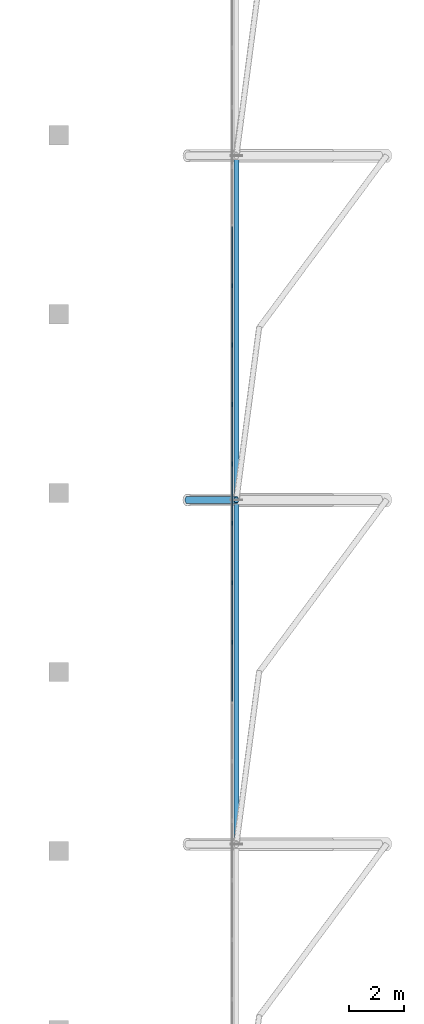
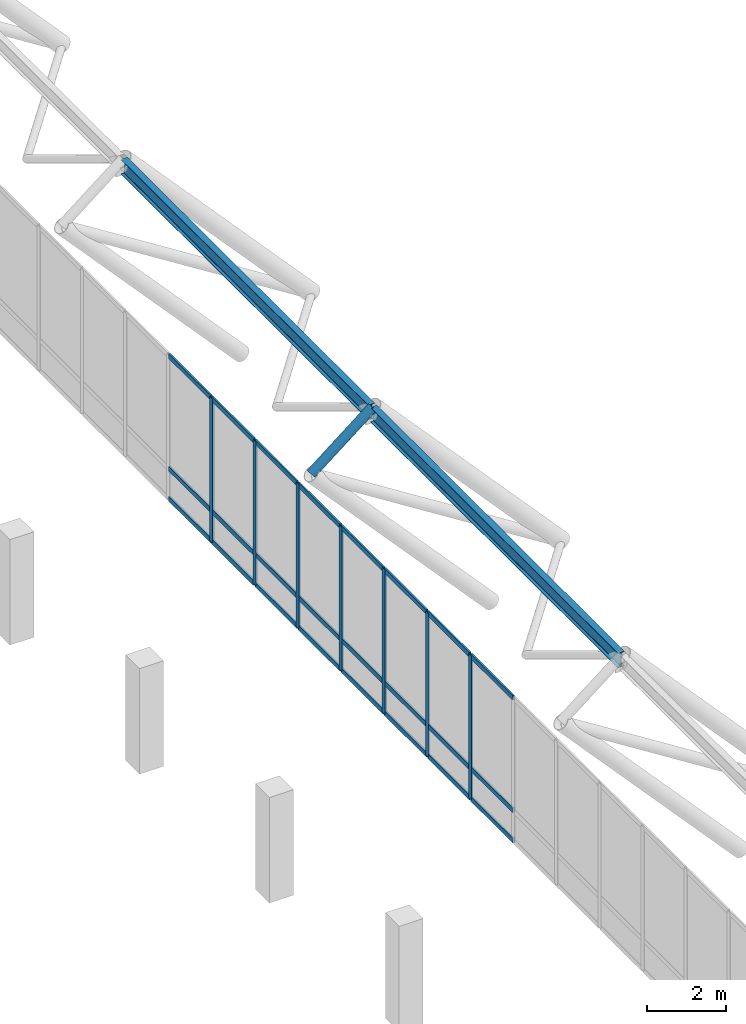
# One storey, part 26 of 79: 34 members, 1 element without a shape of its own.
"""IFC4 building model written with IfcOpenShell, lengths in metres."""

from ifc_helpers import new_model, si_unit, derived_unit, direction, frame, origin, origin_2d, place, context, subcontext, project, spatial, rectangle, hollow_circle, i_section, extrude, material, layer, layer_set, material_profile, profile_set, type_object, element, aggregate, save


model = new_model("IFC4")

# Units and contexts
model_context = context("Model", 3, precision=1e-05, world=origin(), true_north=direction((0.0, 1.0)))
body_context = subcontext(model_context, "Body", "Model", "MODEL_VIEW")
ifc_project = project(units=[si_unit("LENGTHUNIT", "METRE"), si_unit("AREAUNIT", "SQUARE_METRE"), si_unit("VOLUMEUNIT", "CUBIC_METRE"), si_unit("PLANEANGLEUNIT", "RADIAN"), si_unit("MASSUNIT", "GRAM", prefix="KILO"), derived_unit("THERMALTRANSMITTANCEUNIT", [(si_unit("MASSUNIT", "GRAM", prefix="KILO"), 1), (si_unit("TIMEUNIT", "SECOND"), -3), (si_unit("THERMODYNAMICTEMPERATUREUNIT", "KELVIN"), -1)])], contexts=[model_context])

# Site, building, storey
site_placement = place(None, origin())
site = spatial("IfcSite", under=ifc_project, at=site_placement, CompositionType="ELEMENT")
building_placement = place(site_placement, origin())
building = spatial("IfcBuilding", under=site, at=building_placement, Name="Valcora Ridge Arena", CompositionType="ELEMENT")
storey_placement = place(building_placement, frame((0.0, 0.0, 16.199951171875)))
storey = spatial("IfcBuildingStorey", under=building, at=storey_placement, Name="L03", CompositionType="ELEMENT", Elevation=16.199951171875)

# Curtain wall, members
ifc_material_1 = material(Name="Anodised dark bronze architectural aluminium 6063-T6", Category="aluminium")
ifc_layer = layer(ifc_material_1, 0.14990234375, Name="Anodised dark bronze architectural aluminium 6063-T6")
ifc_layer_set = layer_set([ifc_layer], Name="Anodised dark bronze architectural aluminium 6063-T6")
curtain_wall_type = type_object("IfcCurtainWallType", Name="TY-CURTAINWALL-CW-V1-EAST-849X44", PredefinedType="NOTDEFINED", material=ifc_layer_set)
curtain_wall_placement = place(storey_placement, origin())
curtain_wall = element("IfcCurtainWall", 1, at=curtain_wall_placement, inside=storey, type_object=curtain_wall_type, Name="CW-V1-EAST-849X44 CW-0147", PredefinedType="NOTDEFINED")
ifc_material_profile_1 = material_profile(ifc_material_1, rectangle(XDim=0.050048828125, YDim=0.14990234375, at=origin_2d()), Name="ALU MULLION 50x150")
ifc_profile_set_1 = profile_set([ifc_material_profile_1], Name="Anodised dark bronze architectural aluminium 6063-T6")
member_type_1 = type_object("IfcMemberType", Name="TY-MEM-CWM-50x150", PredefinedType="MULLION", material=ifc_profile_set_1)
member_1_placement = place(storey_placement, frame((95.35009765625, 65.1884765625, 0.0), z_axis=(0.0, 0.0, 1.0), x_axis=(-1.0, 0.0, 0.0)))
member_1 = element("IfcMember", 2, at=member_1_placement, type_object=member_type_1, Name="CW-0147/CWM-50x150/M20", PredefinedType="MULLION", context=body_context, shape_type="SweptSolid", body=[
    extrude(rectangle(XDim=0.050048828125, YDim=0.14990234375, at=origin_2d()), origin(), (0.0, 0.0, 1.0), 4.43994140625),
])
member_2_placement = place(storey_placement, frame((95.35009765625, 67.364990234375, 0.0), z_axis=(0.0, 0.0, 1.0), x_axis=(-1.0, 0.0, 0.0)))
member_2 = element("IfcMember", 3, at=member_2_placement, type_object=member_type_1, Name="CW-0147/CWM-50x150/M21", PredefinedType="MULLION", context=body_context, shape_type="SweptSolid", body=[
    extrude(rectangle(XDim=0.050048828125, YDim=0.14990234375, at=origin_2d()), origin(), (0.0, 0.0, 1.0), 4.43994140625),
])
member_3_placement = place(storey_placement, frame((95.35009765625, 69.541748046875, 0.0), z_axis=(0.0, 0.0, 1.0), x_axis=(-1.0, 0.0, 0.0)))
member_3 = element("IfcMember", 4, at=member_3_placement, type_object=member_type_1, Name="CW-0147/CWM-50x150/M22", PredefinedType="MULLION", context=body_context, shape_type="SweptSolid", body=[
    extrude(rectangle(XDim=0.050048828125, YDim=0.14990234375, at=origin_2d()), origin(), (0.0, 0.0, 1.0), 4.43994140625),
])
member_4_placement = place(storey_placement, frame((95.35009765625, 71.718505859375, 0.0), z_axis=(0.0, 0.0, 1.0), x_axis=(-1.0, 0.0, 0.0)))
member_4 = element("IfcMember", 5, at=member_4_placement, type_object=member_type_1, Name="CW-0147/CWM-50x150/M23", PredefinedType="MULLION", context=body_context, shape_type="SweptSolid", body=[
    extrude(rectangle(XDim=0.050048828125, YDim=0.14990234375, at=origin_2d()), origin(), (0.0, 0.0, 1.0), 4.43994140625),
])
member_5_placement = place(storey_placement, frame((95.35009765625, 73.895263671875, 0.0), z_axis=(0.0, 0.0, 1.0), x_axis=(-1.0, 0.0, 0.0)))
member_5 = element("IfcMember", 6, at=member_5_placement, type_object=member_type_1, Name="CW-0147/CWM-50x150/M24", PredefinedType="MULLION", context=body_context, shape_type="SweptSolid", body=[
    extrude(rectangle(XDim=0.050048828125, YDim=0.14990234375, at=origin_2d()), origin(), (0.0, 0.0, 1.0), 4.43994140625),
])
member_6_placement = place(storey_placement, frame((95.35009765625, 76.072021484375, 0.0), z_axis=(0.0, 0.0, 1.0), x_axis=(-1.0, 0.0, 0.0)))
member_6 = element("IfcMember", 7, at=member_6_placement, type_object=member_type_1, Name="CW-0147/CWM-50x150/M25", PredefinedType="MULLION", context=body_context, shape_type="SweptSolid", body=[
    extrude(rectangle(XDim=0.050048828125, YDim=0.14990234375, at=origin_2d()), origin(), (0.0, 0.0, 1.0), 4.43994140625),
])
member_7_placement = place(storey_placement, frame((95.35009765625, 78.248779296875, 0.0), z_axis=(0.0, 0.0, 1.0), x_axis=(-1.0, 0.0, 0.0)))
member_7 = element("IfcMember", 8, at=member_7_placement, type_object=member_type_1, Name="CW-0147/CWM-50x150/M26", PredefinedType="MULLION", context=body_context, shape_type="SweptSolid", body=[
    extrude(rectangle(XDim=0.050048828125, YDim=0.14990234375, at=origin_2d()), origin(), (0.0, 0.0, 1.0), 4.43994140625),
])
ifc_material_profile_2 = material_profile(ifc_material_1, rectangle(XDim=0.050048828125, YDim=0.14990234375, at=origin_2d()), Name="ALU TRANSOM 50x150")
ifc_profile_set_2 = profile_set([ifc_material_profile_2], Name="Anodised dark bronze architectural aluminium 6063-T6")
member_type_2 = type_object("IfcMemberType", Name="TY-MEM-CWT-50x150", PredefinedType="USERDEFINED", material=ifc_profile_set_2)
member_8_placement = place(storey_placement, frame((95.35009765625, 63.036865234375, 0.025146484375), z_axis=(0.0, 1.0, 0.0), x_axis=(-1.0, 0.0, 0.0)))
member_8 = element("IfcMember", 9, at=member_8_placement, type_object=member_type_2, Name="CW-0147/CWT-50x150/T19-00", ObjectType="TRANSOM", PredefinedType="USERDEFINED", context=body_context, shape_type="SweptSolid", body=[
    extrude(rectangle(XDim=0.050048828125, YDim=0.14990234375, at=origin_2d()), origin(), (0.0, 0.0, 1.0), 2.126953125),
])
member_9_placement = place(storey_placement, frame((95.35009765625, 63.036865234375, 0.949951171875), z_axis=(0.0, 1.0, 0.0), x_axis=(-1.0, 0.0, 0.0)))
member_9 = element("IfcMember", 10, at=member_9_placement, type_object=member_type_2, Name="CW-0147/CWT-50x150/T19-01", ObjectType="TRANSOM", PredefinedType="USERDEFINED", context=body_context, shape_type="SweptSolid", body=[
    extrude(rectangle(XDim=0.050048828125, YDim=0.14990234375, at=origin_2d()), origin(), (0.0, 0.0, 1.0), 2.126953125),
])
member_10_placement = place(storey_placement, frame((95.35009765625, 63.036865234375, 4.4150390625), z_axis=(0.0, 1.0, 0.0), x_axis=(-1.0, 0.0, 0.0)))
member_10 = element("IfcMember", 11, at=member_10_placement, type_object=member_type_2, Name="CW-0147/CWT-50x150/T19-02", ObjectType="TRANSOM", PredefinedType="USERDEFINED", context=body_context, shape_type="SweptSolid", body=[
    extrude(rectangle(XDim=0.050048828125, YDim=0.14990234375, at=origin_2d()), origin(), (0.0, 0.0, 1.0), 2.126953125),
])
member_11_placement = place(storey_placement, frame((95.35009765625, 65.2138671875, 0.025146484375), z_axis=(0.0, 1.0, 0.0), x_axis=(-1.0, 0.0, 0.0)))
member_11 = element("IfcMember", 12, at=member_11_placement, type_object=member_type_2, Name="CW-0147/CWT-50x150/T20-00", ObjectType="TRANSOM", PredefinedType="USERDEFINED", context=body_context, shape_type="SweptSolid", body=[
    extrude(rectangle(XDim=0.050048828125, YDim=0.14990234375, at=origin_2d()), origin(), (0.0, 0.0, 1.0), 2.1259765625),
])
member_12_placement = place(storey_placement, frame((95.35009765625, 65.2138671875, 0.949951171875), z_axis=(0.0, 1.0, 0.0), x_axis=(-1.0, 0.0, 0.0)))
member_12 = element("IfcMember", 13, at=member_12_placement, type_object=member_type_2, Name="CW-0147/CWT-50x150/T20-01", ObjectType="TRANSOM", PredefinedType="USERDEFINED", context=body_context, shape_type="SweptSolid", body=[
    extrude(rectangle(XDim=0.050048828125, YDim=0.14990234375, at=origin_2d()), origin(), (0.0, 0.0, 1.0), 2.1259765625),
])
member_13_placement = place(storey_placement, frame((95.35009765625, 65.2138671875, 4.4150390625), z_axis=(0.0, 1.0, 0.0), x_axis=(-1.0, 0.0, 0.0)))
member_13 = element("IfcMember", 14, at=member_13_placement, type_object=member_type_2, Name="CW-0147/CWT-50x150/T20-02", ObjectType="TRANSOM", PredefinedType="USERDEFINED", context=body_context, shape_type="SweptSolid", body=[
    extrude(rectangle(XDim=0.050048828125, YDim=0.14990234375, at=origin_2d()), origin(), (0.0, 0.0, 1.0), 2.1259765625),
])
member_14_placement = place(storey_placement, frame((95.35009765625, 67.389892578125, 0.025146484375), z_axis=(0.0, 1.0, 0.0), x_axis=(-1.0, 0.0, 0.0)))
member_14 = element("IfcMember", 15, at=member_14_placement, type_object=member_type_2, Name="CW-0147/CWT-50x150/T21-00", ObjectType="TRANSOM", PredefinedType="USERDEFINED", context=body_context, shape_type="SweptSolid", body=[
    extrude(rectangle(XDim=0.050048828125, YDim=0.14990234375, at=origin_2d()), origin(), (0.0, 0.0, 1.0), 2.126953125),
])
member_15_placement = place(storey_placement, frame((95.35009765625, 67.389892578125, 0.949951171875), z_axis=(0.0, 1.0, 0.0), x_axis=(-1.0, 0.0, 0.0)))
member_15 = element("IfcMember", 16, at=member_15_placement, type_object=member_type_2, Name="CW-0147/CWT-50x150/T21-01", ObjectType="TRANSOM", PredefinedType="USERDEFINED", context=body_context, shape_type="SweptSolid", body=[
    extrude(rectangle(XDim=0.050048828125, YDim=0.14990234375, at=origin_2d()), origin(), (0.0, 0.0, 1.0), 2.126953125),
])
member_16_placement = place(storey_placement, frame((95.35009765625, 67.389892578125, 4.4150390625), z_axis=(0.0, 1.0, 0.0), x_axis=(-1.0, 0.0, 0.0)))
member_16 = element("IfcMember", 17, at=member_16_placement, type_object=member_type_2, Name="CW-0147/CWT-50x150/T21-02", ObjectType="TRANSOM", PredefinedType="USERDEFINED", context=body_context, shape_type="SweptSolid", body=[
    extrude(rectangle(XDim=0.050048828125, YDim=0.14990234375, at=origin_2d()), origin(), (0.0, 0.0, 1.0), 2.126953125),
])
member_17_placement = place(storey_placement, frame((95.35009765625, 69.56689453125, 0.025146484375), z_axis=(0.0, 1.0, 0.0), x_axis=(-1.0, 0.0, 0.0)))
member_17 = element("IfcMember", 18, at=member_17_placement, type_object=member_type_2, Name="CW-0147/CWT-50x150/T22-00", ObjectType="TRANSOM", PredefinedType="USERDEFINED", context=body_context, shape_type="SweptSolid", body=[
    extrude(rectangle(XDim=0.050048828125, YDim=0.14990234375, at=origin_2d()), origin(), (0.0, 0.0, 1.0), 2.126953125),
])
member_18_placement = place(storey_placement, frame((95.35009765625, 69.56689453125, 0.949951171875), z_axis=(0.0, 1.0, 0.0), x_axis=(-1.0, 0.0, 0.0)))
member_18 = element("IfcMember", 19, at=member_18_placement, type_object=member_type_2, Name="CW-0147/CWT-50x150/T22-01", ObjectType="TRANSOM", PredefinedType="USERDEFINED", context=body_context, shape_type="SweptSolid", body=[
    extrude(rectangle(XDim=0.050048828125, YDim=0.14990234375, at=origin_2d()), origin(), (0.0, 0.0, 1.0), 2.126953125),
])
member_19_placement = place(storey_placement, frame((95.35009765625, 69.56689453125, 4.4150390625), z_axis=(0.0, 1.0, 0.0), x_axis=(-1.0, 0.0, 0.0)))
member_19 = element("IfcMember", 20, at=member_19_placement, type_object=member_type_2, Name="CW-0147/CWT-50x150/T22-02", ObjectType="TRANSOM", PredefinedType="USERDEFINED", context=body_context, shape_type="SweptSolid", body=[
    extrude(rectangle(XDim=0.050048828125, YDim=0.14990234375, at=origin_2d()), origin(), (0.0, 0.0, 1.0), 2.126953125),
])
member_20_placement = place(storey_placement, frame((95.35009765625, 71.743896484375, 0.025146484375), z_axis=(0.0, 1.0, 0.0), x_axis=(-1.0, 0.0, 0.0)))
member_20 = element("IfcMember", 21, at=member_20_placement, type_object=member_type_2, Name="CW-0147/CWT-50x150/T23-00", ObjectType="TRANSOM", PredefinedType="USERDEFINED", context=body_context, shape_type="SweptSolid", body=[
    extrude(rectangle(XDim=0.050048828125, YDim=0.14990234375, at=origin_2d()), origin(), (0.0, 0.0, 1.0), 2.1259765625),
])
member_21_placement = place(storey_placement, frame((95.35009765625, 71.743896484375, 0.949951171875), z_axis=(0.0, 1.0, 0.0), x_axis=(-1.0, 0.0, 0.0)))
member_21 = element("IfcMember", 22, at=member_21_placement, type_object=member_type_2, Name="CW-0147/CWT-50x150/T23-01", ObjectType="TRANSOM", PredefinedType="USERDEFINED", context=body_context, shape_type="SweptSolid", body=[
    extrude(rectangle(XDim=0.050048828125, YDim=0.14990234375, at=origin_2d()), origin(), (0.0, 0.0, 1.0), 2.1259765625),
])
member_22_placement = place(storey_placement, frame((95.35009765625, 71.743896484375, 4.4150390625), z_axis=(0.0, 1.0, 0.0), x_axis=(-1.0, 0.0, 0.0)))
member_22 = element("IfcMember", 23, at=member_22_placement, type_object=member_type_2, Name="CW-0147/CWT-50x150/T23-02", ObjectType="TRANSOM", PredefinedType="USERDEFINED", context=body_context, shape_type="SweptSolid", body=[
    extrude(rectangle(XDim=0.050048828125, YDim=0.14990234375, at=origin_2d()), origin(), (0.0, 0.0, 1.0), 2.1259765625),
])
member_23_placement = place(storey_placement, frame((95.35009765625, 73.919921875, 0.025146484375), z_axis=(0.0, 1.0, 0.0), x_axis=(-1.0, 0.0, 0.0)))
member_23 = element("IfcMember", 24, at=member_23_placement, type_object=member_type_2, Name="CW-0147/CWT-50x150/T24-00", ObjectType="TRANSOM", PredefinedType="USERDEFINED", context=body_context, shape_type="SweptSolid", body=[
    extrude(rectangle(XDim=0.050048828125, YDim=0.14990234375, at=origin_2d()), origin(), (0.0, 0.0, 1.0), 2.126953125),
])
member_24_placement = place(storey_placement, frame((95.35009765625, 73.919921875, 0.949951171875), z_axis=(0.0, 1.0, 0.0), x_axis=(-1.0, 0.0, 0.0)))
member_24 = element("IfcMember", 25, at=member_24_placement, type_object=member_type_2, Name="CW-0147/CWT-50x150/T24-01", ObjectType="TRANSOM", PredefinedType="USERDEFINED", context=body_context, shape_type="SweptSolid", body=[
    extrude(rectangle(XDim=0.050048828125, YDim=0.14990234375, at=origin_2d()), origin(), (0.0, 0.0, 1.0), 2.126953125),
])
member_25_placement = place(storey_placement, frame((95.35009765625, 73.919921875, 4.4150390625), z_axis=(0.0, 1.0, 0.0), x_axis=(-1.0, 0.0, 0.0)))
member_25 = element("IfcMember", 26, at=member_25_placement, type_object=member_type_2, Name="CW-0147/CWT-50x150/T24-02", ObjectType="TRANSOM", PredefinedType="USERDEFINED", context=body_context, shape_type="SweptSolid", body=[
    extrude(rectangle(XDim=0.050048828125, YDim=0.14990234375, at=origin_2d()), origin(), (0.0, 0.0, 1.0), 2.126953125),
])
member_26_placement = place(storey_placement, frame((95.35009765625, 76.0966796875, 0.025146484375), z_axis=(0.0, 1.0, 0.0), x_axis=(-1.0, 0.0, 0.0)))
member_26 = element("IfcMember", 27, at=member_26_placement, type_object=member_type_2, Name="CW-0147/CWT-50x150/T25-00", ObjectType="TRANSOM", PredefinedType="USERDEFINED", context=body_context, shape_type="SweptSolid", body=[
    extrude(rectangle(XDim=0.050048828125, YDim=0.14990234375, at=origin_2d()), origin(), (0.0, 0.0, 1.0), 2.127197265625),
])
member_27_placement = place(storey_placement, frame((95.35009765625, 76.0966796875, 0.949951171875), z_axis=(0.0, 1.0, 0.0), x_axis=(-1.0, 0.0, 0.0)))
member_27 = element("IfcMember", 28, at=member_27_placement, type_object=member_type_2, Name="CW-0147/CWT-50x150/T25-01", ObjectType="TRANSOM", PredefinedType="USERDEFINED", context=body_context, shape_type="SweptSolid", body=[
    extrude(rectangle(XDim=0.050048828125, YDim=0.14990234375, at=origin_2d()), origin(), (0.0, 0.0, 1.0), 2.127197265625),
])
member_28_placement = place(storey_placement, frame((95.35009765625, 76.0966796875, 4.4150390625), z_axis=(0.0, 1.0, 0.0), x_axis=(-1.0, 0.0, 0.0)))
member_28 = element("IfcMember", 29, at=member_28_placement, type_object=member_type_2, Name="CW-0147/CWT-50x150/T25-02", ObjectType="TRANSOM", PredefinedType="USERDEFINED", context=body_context, shape_type="SweptSolid", body=[
    extrude(rectangle(XDim=0.050048828125, YDim=0.14990234375, at=origin_2d()), origin(), (0.0, 0.0, 1.0), 2.127197265625),
])
member_29_placement = place(storey_placement, frame((95.35009765625, 78.273681640625, 0.025146484375), z_axis=(0.0, 1.0, 0.0), x_axis=(-1.0, 0.0, 0.0)))
member_29 = element("IfcMember", 30, at=member_29_placement, type_object=member_type_2, Name="CW-0147/CWT-50x150/T26-00", ObjectType="TRANSOM", PredefinedType="USERDEFINED", context=body_context, shape_type="SweptSolid", body=[
    extrude(rectangle(XDim=0.050048828125, YDim=0.14990234375, at=origin_2d()), origin(), (0.0, 0.0, 1.0), 2.127197265625),
])
member_30_placement = place(storey_placement, frame((95.35009765625, 78.273681640625, 0.949951171875), z_axis=(0.0, 1.0, 0.0), x_axis=(-1.0, 0.0, 0.0)))
member_30 = element("IfcMember", 31, at=member_30_placement, type_object=member_type_2, Name="CW-0147/CWT-50x150/T26-01", ObjectType="TRANSOM", PredefinedType="USERDEFINED", context=body_context, shape_type="SweptSolid", body=[
    extrude(rectangle(XDim=0.050048828125, YDim=0.14990234375, at=origin_2d()), origin(), (0.0, 0.0, 1.0), 2.127197265625),
])
member_31_placement = place(storey_placement, frame((95.35009765625, 78.273681640625, 4.4150390625), z_axis=(0.0, 1.0, 0.0), x_axis=(-1.0, 0.0, 0.0)))
member_31 = element("IfcMember", 32, at=member_31_placement, type_object=member_type_2, Name="CW-0147/CWT-50x150/T26-02", ObjectType="TRANSOM", PredefinedType="USERDEFINED", context=body_context, shape_type="SweptSolid", body=[
    extrude(rectangle(XDim=0.050048828125, YDim=0.14990234375, at=origin_2d()), origin(), (0.0, 0.0, 1.0), 2.127197265625),
])
aggregate(curtain_wall, [member_1, member_2, member_3, member_4, member_5, member_6, member_7, member_8, member_9, member_10, member_11, member_12, member_13, member_14, member_15, member_16, member_17, member_18, member_19, member_20, member_21, member_22, member_23, member_24, member_25, member_26, member_27, member_28, member_29, member_30, member_31])

# Members
ifc_material_2 = material(Name="Steel ASTM A572 Grade 50", Category="steel")
ifc_material_profile_3 = material_profile(ifc_material_2, i_section(OverallWidth=0.18994140625, OverallDepth=0.45703125, WebThickness=0.009033203125, FlangeThickness=0.014404296875, FilletRadius=0.014892578125, at=origin_2d()), Name="W18X50")
ifc_profile_set_3 = profile_set([ifc_material_profile_3], Name="Steel ASTM A572 Grade 50")
member_type_3 = type_object("IfcMemberType", Name="TY-MEMBER-PUR-W18X50", PredefinedType="PURLIN", material=ifc_profile_set_3)
for number, where, z_axis, x_axis, name in (
    (33, (95.5, 57.85009765625, 8.67724609375), (0.0, 1.0, 0.0), (-1.0, 0.0, 0.0), "PUR-W18X50 SF-PR-PUR-W18X50-0048"),
    (34, (95.5, 70.449951171875, 8.67724609375), (0.0, 1.0, 0.0), (-1.0, 0.0, 0.0), "PUR-W18X50 SF-PR-PUR-W18X50-0060"),
):
    element("IfcMember", number, at=place(storey_placement, frame(where, z_axis=z_axis, x_axis=x_axis)), inside=storey, type_object=member_type_3, Name=name, PredefinedType="PURLIN", context=body_context, shape_type="SweptSolid", body=[
        extrude(i_section(OverallWidth=0.18994140625, OverallDepth=0.45703125, WebThickness=0.009033203125, FlangeThickness=0.014404296875, FilletRadius=0.014892578125, at=origin_2d()), origin(), (0.0, 0.0, 1.0), 12.5),
    ])
ifc_material_3 = material(Name="Steel ASTM A500 Grade C", Category="steel")
ifc_material_profile_4 = material_profile(ifc_material_3, hollow_circle(Radius=0.136474609375, WallThickness=0.012451171875, at=origin_2d()), Name="CHS273X12")
ifc_profile_set_4 = profile_set([ifc_material_profile_4], Name="Steel ASTM A500 Grade C")
member_type_4 = type_object("IfcMemberType", Name="TY-MEMBER-SFKP-273", PredefinedType="POST", material=ifc_profile_set_4)
member_32_placement = place(storey_placement, frame((93.705322265625, 70.39990234375, 7.423095703125), z_axis=(0.78184324525, 0.0, 0.623475051511), x_axis=(0.0, 1.0, 0.0)))
element("IfcMember", 35, at=member_32_placement, inside=storey, type_object=member_type_4, Name="SFKP-273 Space Frame King Post", PredefinedType="POST", context=body_context, shape_type="SweptSolid", body=[
    extrude(hollow_circle(Radius=0.136474609375, WallThickness=0.012451171875, at=origin_2d()), origin(), (0.0, 0.0, 1.0), 2.29541015625),
])

save(model, "model.ifc")
